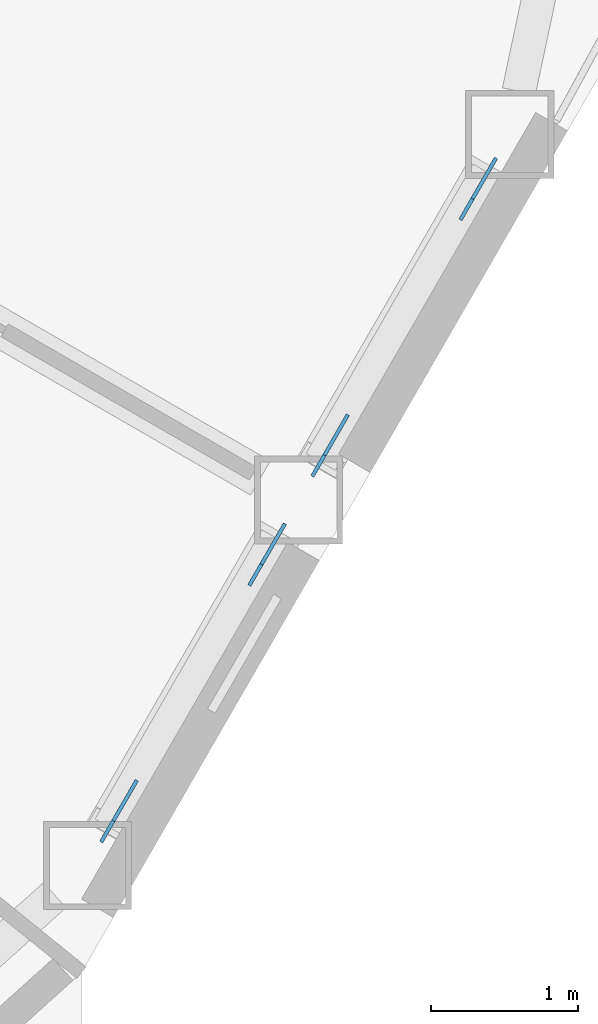
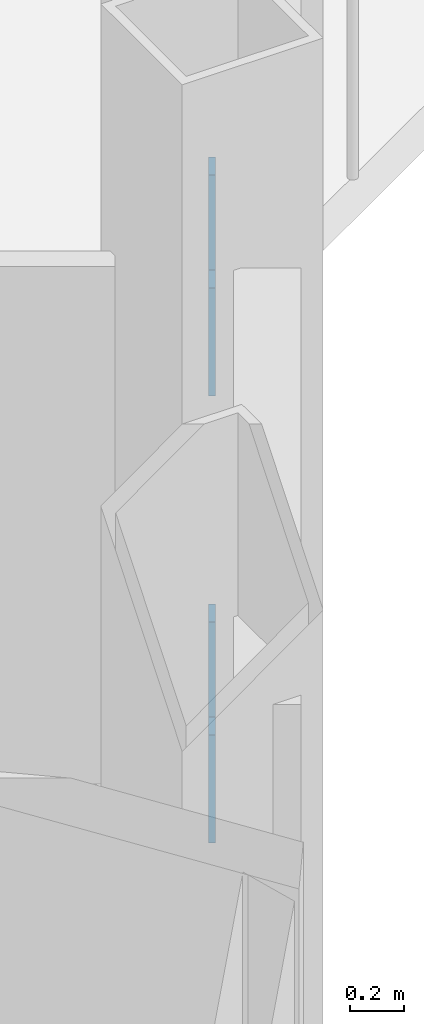
# One storey, part 21 of 28: 4 discrete accessories.
"""IFC4 building model written with IfcOpenShell, lengths in metres."""

from ifc_helpers import new_model, si_unit, direction, frame, origin, origin_2d, place, context, subcontext, project, spatial, rectangle, extrude, material, material_profile, profile_set, type_object, element, save


model = new_model("IFC4")

# Units and contexts
model_context = context("Model", 3, precision=1e-05, world=origin(), true_north=direction((0.0, 1.0)))
body_context = subcontext(model_context, "Body", "Model", "MODEL_VIEW")
ifc_project = project(units=[si_unit("LENGTHUNIT", "METRE"), si_unit("AREAUNIT", "SQUARE_METRE"), si_unit("VOLUMEUNIT", "CUBIC_METRE"), si_unit("PLANEANGLEUNIT", "RADIAN"), si_unit("MASSUNIT", "GRAM", prefix="KILO")], contexts=[model_context])

# Site, building, storey
site_placement = place(None, origin())
site = spatial("IfcSite", under=ifc_project, at=site_placement, CompositionType="ELEMENT")
building_placement = place(site_placement, origin())
building = spatial("IfcBuilding", under=site, at=building_placement, Name="Cormorant Prow Tower", CompositionType="ELEMENT")
storey_placement = place(building_placement, frame((0.0, 0.0, 308.60009765625)))
storey = spatial("IfcBuildingStorey", under=building, at=storey_placement, Name="L67", CompositionType="ELEMENT", Elevation=308.60009765625)

# Discrete accessories
ifc_material = material(Name="Structural steel ASTM A500 Gr C", Category="steel")
ifc_material_profile = material_profile(ifc_material, rectangle(XDim=0.02490234375, YDim=0.405029296875, at=origin_2d()), Name="Gusset plate 25x405")
ifc_profile_set = profile_set([ifc_material_profile], Name="Structural steel ASTM A500 Gr C")
discrete_accessory_type = type_object("IfcDiscreteAccessoryType", Name="Gusset plate 25x405", PredefinedType="BRACKET", material=ifc_profile_set)
discrete_accessory_1_placement = place(storey_placement, frame((27.137939453125, -16.34765625, 0.86376953125), z_axis=(0.456360760472, 0.789908839227, -0.4096082055), x_axis=(-0.865879799044, 0.500252110048, 0.0)))
element("IfcDiscreteAccessory", 1, at=discrete_accessory_1_placement, inside=storey, type_object=discrete_accessory_type, Name="Gusset plate GP3 L67.ESE00.g0", PredefinedType="BRACKET", context=body_context, shape_type="SweptSolid", body=[
    extrude(rectangle(XDim=0.02490234375, YDim=0.405029296875, at=origin_2d()), origin(), (0.0, 0.0, 1.0), 0.349853515625),
])
for number, where, z_axis, x_axis, name in (
    (2, (26.289794921875, -17.817138671875, 1.6240234375), (-0.456791619277, -0.790144892581, 0.408671586101), (0.865740004385, -0.50049400077, 0.0), "Gusset plate GP3 L67.ESE00.g1"),
    (3, (28.574951171875, -13.85888671875, 0.86376953125), (0.456109312262, 0.790171025676, -0.409382517274), (-0.866071029786, 0.499920965119, 0.0), "Gusset plate GP3 L67.ESE01.g0"),
):
    element("IfcDiscreteAccessory", number, at=place(storey_placement, frame(where, z_axis=z_axis, x_axis=x_axis)), inside=storey, type_object=discrete_accessory_type, Name=name, PredefinedType="BRACKET", context=body_context, shape_type="SweptSolid", body=[
        extrude(rectangle(XDim=0.02490234375, YDim=0.405029296875, at=origin_2d()), origin(), (0.0, 0.0, 1.0), 0.35009765625),
    ])
discrete_accessory_2_placement = place(storey_placement, frame((27.7265625, -15.328369140625, 1.6240234375), z_axis=(-0.456239480558, -0.790396531303, 0.408801736402), x_axis=(0.866071029786, -0.499920965119, 0.0)))
element("IfcDiscreteAccessory", 4, at=discrete_accessory_2_placement, inside=storey, type_object=discrete_accessory_type, Name="Gusset plate GP3 L67.ESE01.g1", PredefinedType="BRACKET", context=body_context, shape_type="SweptSolid", body=[
    extrude(rectangle(XDim=0.02490234375, YDim=0.405029296875, at=origin_2d()), origin(), (0.0, 0.0, 1.0), 0.349853515625),
])

save(model, "model.ifc")
